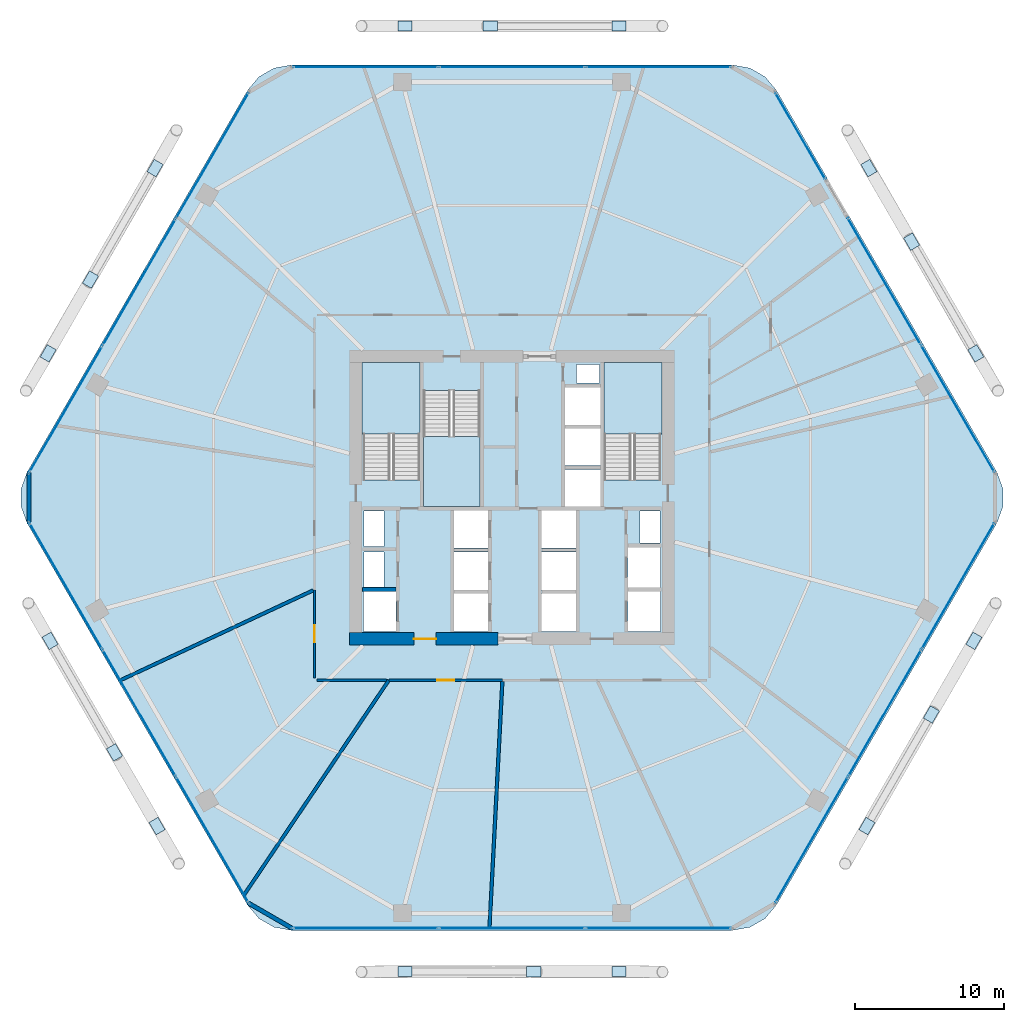
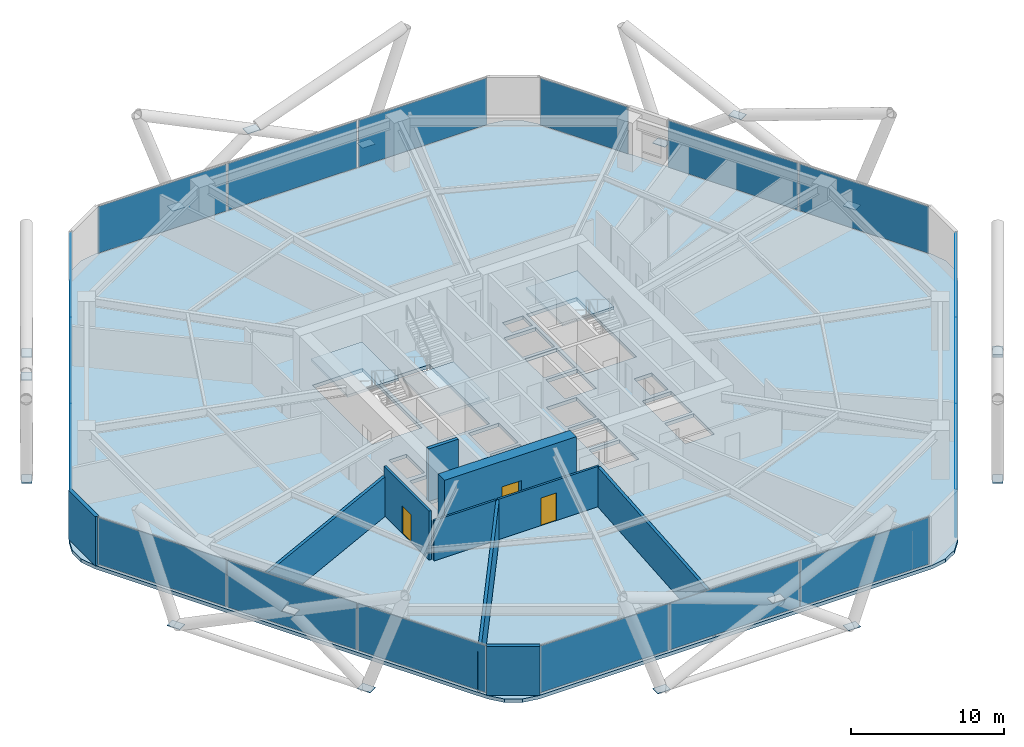
# One storey, part 24 of 28: 36 plates, 10 walls, 4 slabs, 3 doors, 3 openings, 10 elements without a shape of their own.
"""IFC4 building model written with IfcOpenShell, lengths in metres."""

from ifc_helpers import new_model, si_unit, direction, frame, frame_2d, origin, origin_2d, place, context, subcontext, project, spatial, polyline, rectangle, outline, extrude, material, layer, layer_set, type_object, element, fill, aggregate, save


model = new_model("IFC4")

# Units and contexts
model_context = context("Model", 3, precision=1e-05, world=origin(), true_north=direction((0.0, 1.0)))
body_context = subcontext(model_context, "Body", "Model", "MODEL_VIEW")
ifc_project = project(units=[si_unit("LENGTHUNIT", "METRE"), si_unit("AREAUNIT", "SQUARE_METRE"), si_unit("VOLUMEUNIT", "CUBIC_METRE"), si_unit("PLANEANGLEUNIT", "RADIAN"), si_unit("MASSUNIT", "GRAM", prefix="KILO")], contexts=[model_context])

# Site, building, storey
site_placement = place(None, origin())
site = spatial("IfcSite", under=ifc_project, at=site_placement, CompositionType="ELEMENT")
building_placement = place(site_placement, origin())
building = spatial("IfcBuilding", under=site, at=building_placement, Name="Zuhravey Tower", CompositionType="ELEMENT")
storey_placement = place(building_placement, frame((0.0, 0.0, 49.800048828125)))
storey = spatial("IfcBuildingStorey", under=building, at=storey_placement, Name="L12", CompositionType="ELEMENT", Elevation=49.800048828125)

# Curtain wall, plates
ifc_material_1 = material(Name="Thermally broken anodised aluminium", Category="aluminium")
curtain_wall_type = type_object("IfcCurtainWallType", Name="School Low-E Unitised Curtain Wall CW1", PredefinedType="NOTDEFINED", material=ifc_material_1)
curtain_wall_1_placement = place(storey_placement, origin())
curtain_wall_1 = element("IfcCurtainWall", 1, at=curtain_wall_1_placement, inside=storey, type_object=curtain_wall_type, Name="L12 CW1 CW-L12-F6-1", PredefinedType="NOTDEFINED")
ifc_material_2 = material(Name="Laminated acoustic low-E vision glass", Category="glass")
ifc_layer_1 = layer(ifc_material_2, 0.048095703125)
ifc_layer_set_1 = layer_set([ifc_layer_1], Name="Laminated acoustic low-E vision glass")
plate_type_1 = type_object("IfcPlateType", Name="Acoustic School Vision Panel", PredefinedType="CURTAIN_PANEL", material=ifc_layer_set_1)
plate_1_placement = place(storey_placement, frame((66.000732421875, 26.045654296875, 0.08984375), z_axis=(0.0, 0.0, 1.0), x_axis=(-0.499999794119, -0.86602552265, 0.0)))
plate_1 = element("IfcPlate", 2, at=plate_1_placement, type_object=plate_type_1, Name="CW1 panel 1.1", PredefinedType="CURTAIN_PANEL", context=body_context, shape_type="SweptSolid", body=[
    extrude(rectangle(XDim=9.7314453125, YDim=0.048095703125, at=origin_2d()), origin(), (0.0, 0.0, 1.0), 3.739990234375),
])
plate_2_placement = place(storey_placement, frame((61.078857421875, 17.520751953125, 0.08984375), z_axis=(0.0, 0.0, 1.0), x_axis=(-0.499999794119, -0.86602552265, 0.0)))
plate_2 = element("IfcPlate", 3, at=plate_2_placement, type_object=plate_type_1, Name="CW1 panel 2.1", PredefinedType="CURTAIN_PANEL", context=body_context, shape_type="SweptSolid", body=[
    extrude(rectangle(XDim=9.7763671875, YDim=0.048095703125, at=origin_2d()), origin(), (0.0, 0.0, 1.0), 3.739990234375),
])
plate_3_placement = place(storey_placement, frame((56.15673828125, 8.995849609375, 0.08984375), z_axis=(0.0, 0.0, 1.0), x_axis=(-0.499999794119, -0.86602552265, 0.0)))
plate_3 = element("IfcPlate", 4, at=plate_3_placement, type_object=plate_type_1, Name="CW1 panel 3.1", PredefinedType="CURTAIN_PANEL", context=body_context, shape_type="SweptSolid", body=[
    extrude(rectangle(XDim=9.7314453125, YDim=0.048095703125, at=origin_2d()), origin(), (0.0, 0.0, 1.0), 3.739990234375),
])
aggregate(curtain_wall_1, [plate_1, plate_2, plate_3])

curtain_wall_2_placement = place(storey_placement, origin())
curtain_wall_2 = element("IfcCurtainWall", 5, at=curtain_wall_2_placement, inside=storey, type_object=curtain_wall_type, Name="L12 CW1 CW-L12-F5-1", PredefinedType="NOTDEFINED")
plate_4_placement = place(storey_placement, frame((45.84375, 3.04150390625, 0.08984375), z_axis=(0.0, 0.0, 1.0), x_axis=(-1.0, 0.0, 0.0)))
plate_4 = element("IfcPlate", 6, at=plate_4_placement, type_object=plate_type_1, Name="CW1 panel 1.1", PredefinedType="CURTAIN_PANEL", context=body_context, shape_type="SweptSolid", body=[
    extrude(rectangle(XDim=9.7314453125, YDim=0.048095703125, at=origin_2d()), origin(), (0.0, 0.0, 1.0), 3.739990234375),
])
plate_5_placement = place(storey_placement, frame((36.0, 3.04150390625, 0.08984375), z_axis=(0.0, 0.0, 1.0), x_axis=(-1.0, 0.0, 0.0)))
plate_5 = element("IfcPlate", 7, at=plate_5_placement, type_object=plate_type_1, Name="CW1 panel 2.1", PredefinedType="CURTAIN_PANEL", context=body_context, shape_type="SweptSolid", body=[
    extrude(rectangle(XDim=9.7763671875, YDim=0.048095703125, at=origin_2d()), origin(), (0.0, 0.0, 1.0), 3.739990234375),
])
plate_6_placement = place(storey_placement, frame((26.15625, 3.04150390625, 0.08984375), z_axis=(0.0, 0.0, 1.0), x_axis=(-1.0, 0.0, 0.0)))
plate_6 = element("IfcPlate", 8, at=plate_6_placement, type_object=plate_type_1, Name="CW1 panel 3.1", PredefinedType="CURTAIN_PANEL", context=body_context, shape_type="SweptSolid", body=[
    extrude(rectangle(XDim=9.7314453125, YDim=0.048095703125, at=origin_2d()), origin(), (0.0, 0.0, 1.0), 3.739990234375),
])
aggregate(curtain_wall_2, [plate_4, plate_5, plate_6])

curtain_wall_3_placement = place(storey_placement, origin())
curtain_wall_3 = element("IfcCurtainWall", 9, at=curtain_wall_3_placement, inside=storey, type_object=curtain_wall_type, Name="L12 CW1 CW-L12-F4-1", PredefinedType="NOTDEFINED")
plate_7_placement = place(storey_placement, frame((15.84326171875, 8.995849609375, 0.08984375), z_axis=(0.0, 0.0, 1.0), x_axis=(-0.499999794119, 0.86602552265, 0.0)))
plate_7 = element("IfcPlate", 10, at=plate_7_placement, type_object=plate_type_1, Name="CW1 panel 1.1", PredefinedType="CURTAIN_PANEL", context=body_context, shape_type="SweptSolid", body=[
    extrude(rectangle(XDim=9.7314453125, YDim=0.048095703125, at=origin_2d()), origin(), (0.0, 0.0, 1.0), 3.739990234375),
])
plate_8_placement = place(storey_placement, frame((10.921142578125, 17.520751953125, 0.08984375), z_axis=(0.0, 0.0, 1.0), x_axis=(-0.499999794119, 0.86602552265, 0.0)))
plate_8 = element("IfcPlate", 11, at=plate_8_placement, type_object=plate_type_1, Name="CW1 panel 2.1", PredefinedType="CURTAIN_PANEL", context=body_context, shape_type="SweptSolid", body=[
    extrude(rectangle(XDim=9.7763671875, YDim=0.048095703125, at=origin_2d()), origin(), (0.0, 0.0, 1.0), 3.739990234375),
])
plate_9_placement = place(storey_placement, frame((5.999267578125, 26.045654296875, 0.08984375), z_axis=(0.0, 0.0, 1.0), x_axis=(-0.499999794119, 0.86602552265, 0.0)))
plate_9 = element("IfcPlate", 12, at=plate_9_placement, type_object=plate_type_1, Name="CW1 panel 3.1", PredefinedType="CURTAIN_PANEL", context=body_context, shape_type="SweptSolid", body=[
    extrude(rectangle(XDim=9.7314453125, YDim=0.048095703125, at=origin_2d()), origin(), (0.0, 0.0, 1.0), 3.739990234375),
])
aggregate(curtain_wall_3, [plate_7, plate_8, plate_9])

curtain_wall_4_placement = place(storey_placement, origin())
curtain_wall_4 = element("IfcCurtainWall", 13, at=curtain_wall_4_placement, inside=storey, type_object=curtain_wall_type, Name="L12 CW1 CW-L12-F3-1", PredefinedType="NOTDEFINED")
plate_10_placement = place(storey_placement, frame((5.999267578125, 37.954345703125, 0.08984375), z_axis=(0.0, 0.0, 1.0), x_axis=(0.499999794119, 0.86602552265, 0.0)))
plate_10 = element("IfcPlate", 14, at=plate_10_placement, type_object=plate_type_1, Name="CW1 panel 1.1", PredefinedType="CURTAIN_PANEL", context=body_context, shape_type="SweptSolid", body=[
    extrude(rectangle(XDim=9.7314453125, YDim=0.048095703125, at=origin_2d()), origin(), (0.0, 0.0, 1.0), 3.739990234375),
])
plate_11_placement = place(storey_placement, frame((10.921142578125, 46.479248046875, 0.08984375), z_axis=(0.0, 0.0, 1.0), x_axis=(0.499999794119, 0.86602552265, 0.0)))
plate_11 = element("IfcPlate", 15, at=plate_11_placement, type_object=plate_type_1, Name="CW1 panel 2.1", PredefinedType="CURTAIN_PANEL", context=body_context, shape_type="SweptSolid", body=[
    extrude(rectangle(XDim=9.7763671875, YDim=0.048095703125, at=origin_2d()), origin(), (0.0, 0.0, 1.0), 3.739990234375),
])
plate_12_placement = place(storey_placement, frame((15.84326171875, 55.004150390625, 0.08984375), z_axis=(0.0, 0.0, 1.0), x_axis=(0.499999794119, 0.86602552265, 0.0)))
plate_12 = element("IfcPlate", 16, at=plate_12_placement, type_object=plate_type_1, Name="CW1 panel 3.1", PredefinedType="CURTAIN_PANEL", context=body_context, shape_type="SweptSolid", body=[
    extrude(rectangle(XDim=9.7314453125, YDim=0.048095703125, at=origin_2d()), origin(), (0.0, 0.0, 1.0), 3.739990234375),
])
aggregate(curtain_wall_4, [plate_10, plate_11, plate_12])

curtain_wall_5_placement = place(storey_placement, origin())
curtain_wall_5 = element("IfcCurtainWall", 17, at=curtain_wall_5_placement, inside=storey, type_object=curtain_wall_type, Name="L12 CW1 CW-L12-F2-1", PredefinedType="NOTDEFINED")
plate_13_placement = place(storey_placement, frame((26.15625, 60.95849609375, 0.08984375), z_axis=(0.0, 0.0, 1.0), x_axis=(1.0, 0.0, 0.0)))
plate_13 = element("IfcPlate", 18, at=plate_13_placement, type_object=plate_type_1, Name="CW1 panel 1.1", PredefinedType="CURTAIN_PANEL", context=body_context, shape_type="SweptSolid", body=[
    extrude(rectangle(XDim=9.7314453125, YDim=0.048095703125, at=origin_2d()), origin(), (0.0, 0.0, 1.0), 3.739990234375),
])
plate_14_placement = place(storey_placement, frame((36.0, 60.95849609375, 0.08984375), z_axis=(0.0, 0.0, 1.0), x_axis=(1.0, 0.0, 0.0)))
plate_14 = element("IfcPlate", 19, at=plate_14_placement, type_object=plate_type_1, Name="CW1 panel 2.1", PredefinedType="CURTAIN_PANEL", context=body_context, shape_type="SweptSolid", body=[
    extrude(rectangle(XDim=9.7763671875, YDim=0.048095703125, at=origin_2d()), origin(), (0.0, 0.0, 1.0), 3.739990234375),
])
plate_15_placement = place(storey_placement, frame((45.84375, 60.95849609375, 0.08984375), z_axis=(0.0, 0.0, 1.0), x_axis=(1.0, 0.0, 0.0)))
plate_15 = element("IfcPlate", 20, at=plate_15_placement, type_object=plate_type_1, Name="CW1 panel 3.1", PredefinedType="CURTAIN_PANEL", context=body_context, shape_type="SweptSolid", body=[
    extrude(rectangle(XDim=9.7314453125, YDim=0.048095703125, at=origin_2d()), origin(), (0.0, 0.0, 1.0), 3.739990234375),
])
aggregate(curtain_wall_5, [plate_13, plate_14, plate_15])

# Curtain wall, plate
curtain_wall_6_placement = place(storey_placement, origin())
curtain_wall_6 = element("IfcCurtainWall", 21, at=curtain_wall_6_placement, inside=storey, type_object=curtain_wall_type, Name="L12 CW1 CW-L12-F1-1", PredefinedType="NOTDEFINED")
plate_16_placement = place(storey_placement, frame((55.39453125, 56.324462890625, 0.08984375), z_axis=(0.0, 0.0, 1.0), x_axis=(0.499992802933, -0.866029558973, 0.0)))
plate_16 = element("IfcPlate", 22, at=plate_16_placement, type_object=plate_type_1, Name="CW1 panel 1.1", PredefinedType="CURTAIN_PANEL", context=body_context, shape_type="SweptSolid", body=[
    extrude(rectangle(XDim=6.6826171875, YDim=0.048095703125, at=origin_2d()), origin(), (0.0, 0.0, 1.0), 3.739990234375),
])
aggregate(curtain_wall_6, [plate_16])

# Curtain wall, plates
curtain_wall_7_placement = place(storey_placement, origin())
curtain_wall_7 = element("IfcCurtainWall", 23, at=curtain_wall_7_placement, inside=storey, type_object=curtain_wall_type, Name="L12 CW1 CW-L12-F1-2", PredefinedType="NOTDEFINED")
plate_17_placement = place(storey_placement, frame((61.032470703125, 46.5595703125, 0.08984375), z_axis=(0.0, 0.0, 1.0), x_axis=(0.500000600745, -0.866025056944, 0.0)))
plate_17 = element("IfcPlate", 24, at=plate_17_placement, type_object=plate_type_1, Name="CW1 panel 1.1", PredefinedType="CURTAIN_PANEL", context=body_context, shape_type="SweptSolid", body=[
    extrude(rectangle(XDim=9.80810546875, YDim=0.048095703125, at=origin_2d()), origin(), (0.0, 0.0, 1.0), 3.739990234375),
])
plate_18_placement = place(storey_placement, frame((65.9814453125, 37.987548828125, 0.08984375), z_axis=(0.0, 0.0, 1.0), x_axis=(0.500000600745, -0.866025056944, 0.0)))
plate_18 = element("IfcPlate", 25, at=plate_18_placement, type_object=plate_type_1, Name="CW1 panel 2.1", PredefinedType="CURTAIN_PANEL", context=body_context, shape_type="SweptSolid", body=[
    extrude(rectangle(XDim=9.80810546875, YDim=0.048095703125, at=origin_2d()), origin(), (0.0, 0.0, 1.0), 3.739990234375),
])
aggregate(curtain_wall_7, [plate_17, plate_18])

# Plates
ifc_material_3 = material(Name="Steel SM460", Category="steel")
ifc_layer_2 = layer(ifc_material_3, 0.0400390625)
ifc_layer_set_2 = layer_set([ifc_layer_2], Name="Steel SM460")
plate_type_2 = type_object("IfcPlateType", Name="Exoskeleton Zone 1 Node Plate ND1", PredefinedType="SHEET", material=ifc_layer_set_2)
for number, where, z_axis, x_axis, name in (
    (26, (67.19580078125, 41.7041015625, -0.51416015625), (0.0, 0.0, 1.0), (-0.5, 0.866025403784, 0.0), "L12 Exoskeleton Node Gusset L12-01"),
    (27, (60.001953125, 54.164306640625, -0.51416015625), (0.0, 0.0, 1.0), (-0.5, 0.866025403784, 0.0), "L12 Exoskeleton Node Gusset L12-02"),
    (28, (43.19384765625, 63.718505859375, -0.51416015625), (0.0, 0.0, 1.0), (-1.0, 0.0, 0.0), "L12 Exoskeleton Node Gusset L12-03"),
    (29, (28.80615234375, 63.718505859375, -0.51416015625), (0.0, 0.0, 1.0), (-1.0, 0.0, 0.0), "L12 Exoskeleton Node Gusset L12-04"),
    (30, (11.998046875, 54.164306640625, -0.51416015625), (0.0, 0.0, 1.0), (-0.5, -0.866025403784, 0.0), "L12 Exoskeleton Node Gusset L12-05"),
    (31, (4.80419921875, 41.7041015625, -0.51416015625), (0.0, 0.0, 1.0), (-0.5, -0.866025403784, 0.0), "L12 Exoskeleton Node Gusset L12-06"),
    (32, (4.93408203125, 22.370849609375, -0.51416015625), (0.0, 0.0, 1.0), (0.5, -0.866025403784, 0.0), "L12 Exoskeleton Node Gusset L12-07"),
    (33, (12.1279296875, 9.91064453125, -0.51416015625), (0.0, 0.0, 1.0), (0.5, -0.866025403784, 0.0), "L12 Exoskeleton Node Gusset L12-08"),
    (34, (28.80615234375, 0.131591796875, -0.51416015625), (0.0, 0.0, 1.0), (1.0, 0.0, 0.0), "L12 Exoskeleton Node Gusset L12-09"),
    (35, (43.19384765625, 0.131591796875, -0.51416015625), (0.0, 0.0, 1.0), (1.0, 0.0, 0.0), "L12 Exoskeleton Node Gusset L12-10"),
    (36, (59.8720703125, 9.91064453125, -0.51416015625), (0.0, 0.0, 1.0), (0.5, 0.866025403784, 0.0), "L12 Exoskeleton Node Gusset L12-11"),
    (37, (67.06591796875, 22.370849609375, -0.51416015625), (0.0, 0.0, 1.0), (0.5, 0.866025403784, 0.0), "L12 Exoskeleton Node Gusset L12-12"),
    (38, (62.876220703125, 49.216064453125, 3.68603515625), (0.0, 0.0, 1.0), (-0.5, 0.866025403784, 0.0), "L12 Face 1 Diagrid X-Crossing Plate"),
    (39, (34.528564453125, 63.718505859375, 3.68603515625), (0.0, 0.0, 1.0), (-1.0, 0.0, 0.0), "L12 Face 2 Diagrid X-Crossing Plate"),
    (40, (7.65234375, 46.66748046875, 3.68603515625), (0.0, 0.0, 1.0), (-0.5, -0.866025403784, 0.0), "L12 Face 3 Diagrid X-Crossing Plate"),
    (41, (9.266845703125, 14.866455078125, 3.68603515625), (0.0, 0.0, 1.0), (0.5, -0.866025403784, 0.0), "L12 Face 4 Diagrid X-Crossing Plate"),
    (42, (37.471435546875, 0.116455078125, 3.68603515625), (0.0, 0.0, 1.0), (1.0, 0.0, 0.0), "L12 Face 5 Diagrid X-Crossing Plate"),
    (43, (64.204833984375, 17.4150390625, 3.68603515625), (0.0, 0.0, 1.0), (0.5, 0.866025403784, 0.0), "L12 Face 6 Diagrid X-Crossing Plate"),
):
    element("IfcPlate", number, at=place(storey_placement, frame(where, z_axis=z_axis, x_axis=x_axis)), inside=storey, type_object=plate_type_2, Name=name, PredefinedType="SHEET", context=body_context, shape_type="SweptSolid", body=[
        extrude(rectangle(XDim=0.9599609375, YDim=0.699951171875, at=origin_2d()), origin(), (0.0, 0.0, 1.0), 0.0400390625),
    ])

# Slab
ifc_material_4 = material(Name="Concrete C50/60", Category="concrete")
ifc_layer_3 = layer(ifc_material_4, 0.280029296875)
ifc_layer_set_3 = layer_set([ifc_layer_3], Name="Concrete C50/60")
slab_type_1 = type_object("IfcSlabType", Name="School Composite Floor Slab 280", PredefinedType="FLOOR", material=ifc_layer_set_3)
slab_1_placement = place(storey_placement, frame((0.0, 0.0, -0.280029296875)))
element("IfcSlab", 44, at=slab_1_placement, inside=storey, type_object=slab_type_1, Name="L12 Floor Slab FS28", PredefinedType="FLOOR", context=body_context, shape_type="SweptSolid", body=[
    extrude(outline(polyline([(68.618408203125, 30.300048828125), (69.0224609375, 31.40966796875), (69.0224609375, 32.59033203125), (68.618408203125, 33.699951171875), (53.781494140625, 59.3984375), (53.0224609375, 60.302978515625), (52.0, 60.893310546875), (50.8369140625, 61.098388671875), (21.1630859375, 61.098388671875), (20.0, 60.893310546875), (18.9775390625, 60.302978515625), (18.218505859375, 59.3984375), (3.381591796875, 33.699951171875), (2.9775390625, 32.59033203125), (2.9775390625, 31.40966796875), (3.381591796875, 30.300048828125), (18.218505859375, 4.6015625), (18.9775390625, 3.697021484375), (20.0, 3.106689453125), (21.1630859375, 2.901611328125), (50.8369140625, 2.901611328125), (52.0, 3.106689453125), (53.0224609375, 3.697021484375), (53.781494140625, 4.6015625), (68.618408203125, 30.300048828125)]), holes=[polyline([(29.800048828125, 33.20068359375), (29.800048828125, 41.0), (26.0, 41.0), (26.0, 33.20068359375), (29.800048828125, 33.20068359375)]), polyline([(46.0, 33.20068359375), (46.0, 41.0), (42.199951171875, 41.0), (42.199951171875, 33.20068359375), (46.0, 33.20068359375)]), polyline([(30.050048828125, 39.199462890625), (30.050048828125, 31.39990234375), (33.85009765625, 31.39990234375), (33.85009765625, 39.199462890625), (30.050048828125, 39.199462890625)]), polyline([(32.10009765625, 23.0), (34.39990234375, 23.0), (34.39990234375, 25.550048828125), (32.10009765625, 25.550048828125), (32.10009765625, 23.0)]), polyline([(32.10009765625, 25.800048828125), (34.39990234375, 25.800048828125), (34.39990234375, 28.35009765625), (32.10009765625, 28.35009765625), (32.10009765625, 25.800048828125)]), polyline([(32.10009765625, 28.60009765625), (34.39990234375, 28.60009765625), (34.39990234375, 31.14990234375), (32.10009765625, 31.14990234375), (32.10009765625, 28.60009765625)]), polyline([(38.0, 23.0), (40.300048828125, 23.0), (40.300048828125, 25.550048828125), (38.0, 25.550048828125), (38.0, 23.0)]), polyline([(38.0, 25.800048828125), (40.300048828125, 25.800048828125), (40.300048828125, 28.35009765625), (38.0, 28.35009765625), (38.0, 25.800048828125)]), polyline([(38.0, 28.60009765625), (40.300048828125, 28.60009765625), (40.300048828125, 31.14990234375), (38.0, 31.14990234375), (38.0, 28.60009765625)]), polyline([(39.550048828125, 31.39990234375), (41.949951171875, 31.39990234375), (41.949951171875, 33.89990234375), (39.550048828125, 33.89990234375), (39.550048828125, 31.39990234375)]), polyline([(39.550048828125, 34.14990234375), (41.949951171875, 34.14990234375), (41.949951171875, 36.64990234375), (39.550048828125, 36.64990234375), (39.550048828125, 34.14990234375)]), polyline([(39.550048828125, 36.89990234375), (41.949951171875, 36.89990234375), (41.949951171875, 39.39990234375), (39.550048828125, 39.39990234375), (39.550048828125, 36.89990234375)]), polyline([(26.0, 23.0), (28.199951171875, 23.0), (28.199951171875, 25.699951171875), (26.0, 25.699951171875), (26.0, 23.0)]), polyline([(43.800048828125, 23.0), (46.0, 23.0), (46.0, 25.699951171875), (43.800048828125, 25.699951171875), (43.800048828125, 23.0)]), polyline([(43.800048828125, 25.949951171875), (46.0, 25.949951171875), (46.0, 28.64990234375), (43.800048828125, 28.64990234375), (43.800048828125, 25.949951171875)]), polyline([(26.050048828125, 26.0), (27.39990234375, 26.0), (27.39990234375, 28.35009765625), (26.050048828125, 28.35009765625), (26.050048828125, 26.0)]), polyline([(26.050048828125, 28.699951171875), (27.39990234375, 28.699951171875), (27.39990234375, 31.10009765625), (26.050048828125, 31.10009765625), (26.050048828125, 28.699951171875)]), polyline([(44.60009765625, 28.949951171875), (45.949951171875, 28.949951171875), (45.949951171875, 31.10009765625), (44.60009765625, 31.10009765625), (44.60009765625, 28.949951171875)]), polyline([(40.35009765625, 39.699951171875), (41.89990234375, 39.699951171875), (41.89990234375, 40.949951171875), (40.35009765625, 40.949951171875), (40.35009765625, 39.699951171875)])]), origin(), (0.0, 0.0, 1.0), 0.280029296875),
])

# Stair, slab
ifc_material_5 = material(Name="Concrete C40/50", Category="concrete")
stair_type = type_object("IfcStairType", Name="School Storey Stair Assembly 4200", PredefinedType="HALF_TURN_STAIR", material=ifc_material_5)
stair_1_placement = place(storey_placement, origin())
stair_1 = element("IfcStair", 45, at=stair_1_placement, inside=storey, type_object=stair_type, Name="L12 Core Exit Stair ST1", PredefinedType="HALF_TURN_STAIR")
ifc_layer_4 = layer(ifc_material_5, 0.199951171875)
ifc_layer_set_4 = layer_set([ifc_layer_4], Name="Concrete C40/50")
slab_type_2 = type_object("IfcSlabType", Name="Stair Landing Slab 200", PredefinedType="LANDING", material=ifc_layer_set_4)
slab_2_placement = place(storey_placement, frame((0.0, 0.0, 1.89990234375)))
slab_2 = element("IfcSlab", 46, at=slab_2_placement, type_object=slab_type_2, Name="ST1 landing 1", PredefinedType="LANDING", context=body_context, shape_type="SweptSolid", body=[
    extrude(outline(polyline([(29.800048828125, 36.280029296875), (29.800048828125, 41.072998046875), (25.927001953125, 41.072998046875), (25.927001953125, 36.280029296875), (29.800048828125, 36.280029296875)])), origin(), (0.0, 0.0, 1.0), 0.199951171875),
])
aggregate(stair_1, [slab_2])

stair_2_placement = place(storey_placement, origin())
stair_2 = element("IfcStair", 47, at=stair_2_placement, inside=storey, type_object=stair_type, Name="L12 Core Exit Stair ST2", PredefinedType="HALF_TURN_STAIR")
slab_3_placement = place(storey_placement, frame((0.0, 0.0, 1.89990234375)))
slab_3 = element("IfcSlab", 48, at=slab_3_placement, type_object=slab_type_2, Name="ST2 landing 1", PredefinedType="LANDING", context=body_context, shape_type="SweptSolid", body=[
    extrude(outline(polyline([(46.072998046875, 36.280029296875), (46.072998046875, 41.072998046875), (42.199951171875, 41.072998046875), (42.199951171875, 36.280029296875), (46.072998046875, 36.280029296875)])), origin(), (0.0, 0.0, 1.0), 0.199951171875),
])
aggregate(stair_2, [slab_3])

stair_3_placement = place(storey_placement, origin())
stair_3 = element("IfcStair", 49, at=stair_3_placement, inside=storey, type_object=stair_type, Name="L12 Core Exit Stair ST3", PredefinedType="HALF_TURN_STAIR")
slab_4_placement = place(storey_placement, frame((0.0, 0.0, 1.89990234375)))
slab_4 = element("IfcSlab", 50, at=slab_4_placement, type_object=slab_type_2, Name="ST3 landing 1", PredefinedType="LANDING", context=body_context, shape_type="SweptSolid", body=[
    extrude(outline(polyline([(30.050048828125, 36.1201171875), (30.050048828125, 31.39990234375), (33.85009765625, 31.39990234375), (33.85009765625, 36.1201171875), (30.050048828125, 36.1201171875)])), origin(), (0.0, 0.0, 1.0), 0.199951171875),
])
aggregate(stair_3, [slab_4])

# Wall, opening, door
ifc_material_6 = material(Name="Concrete C60/75", Category="concrete")
ifc_layer_5 = layer(ifc_material_6, 0.85009765625)
ifc_layer_set_5 = layer_set([ifc_layer_5], Name="Concrete C60/75")
wall_type_1 = type_object("IfcWallType", Name="Core Shear Wall 850", PredefinedType="SHEAR", material=ifc_layer_set_5)
wall_1_placement = place(storey_placement, frame((25.074951171875, 22.5, 0.0), z_axis=(0.0, 0.0, 1.0), x_axis=(1.0, 0.0, 0.0)))
wall_1 = element("IfcWall", 51, at=wall_1_placement, inside=storey, type_object=wall_type_1, Name="L12 South-West Core Shear Wall CW85", PredefinedType="SHEAR", context=body_context, shape_type="SweptSolid", body=[
    extrude(rectangle(XDim=9.97509765625, YDim=0.85009765625, at=frame_2d((4.987548828125, 0.0))), origin(), (0.0, 0.0, 1.0), 4.199951171875),
])
opening_1_placement = place(wall_1_placement, frame((4.324951171875, 0.0, 0.0)))
opening_1 = element("IfcOpeningElement", 52, at=opening_1_placement, cuts=wall_1, Name="Opening FFD1", PredefinedType="OPENING", context=body_context, shape_type="SweptSolid", body=[
    extrude(rectangle(XDim=1.5, YDim=2.14990234375, at=frame_2d((0.75, 1.074951171875))), frame((0.0, 0.43701171875, 0.0), z_axis=(0.0, -1.0, 0.0), x_axis=(1.0, 0.0, 0.0)), (0.0, 0.0, 1.0), 0.8740234375),
])
ifc_material_7 = material(Name="Galvanised fire-rated steel leaf", Category="steel")
door_type_1 = type_object("IfcDoorType", Name="Firefighting Lobby Double Door 1500x2150", OperationType="DOUBLE_DOOR_SINGLE_SWING", PredefinedType="DOOR", material=ifc_material_7)
door_1_placement = place(opening_1_placement, origin())
door_1 = element("IfcDoor", 53, at=door_1_placement, inside=storey, type_object=door_type_1, Name="L12 Firefighting Lobby West Door", OperationType="DOUBLE_DOOR_SINGLE_SWING", OverallHeight=2.14990234375, OverallWidth=1.5, PredefinedType="DOOR", context=body_context, shape_type="SweptSolid", body=[
    extrude(rectangle(XDim=1.5, YDim=2.14990234375, at=frame_2d((0.75, 1.074951171875))), frame((0.0, 0.02490234375, 0.0), z_axis=(0.0, -1.0, 0.0), x_axis=(1.0, 0.0, 0.0)), (0.0, 0.0, 1.0), 0.050048828125),
])
fill(opening_1, door_1)

ifc_material_8 = material(Name="Gypsum fire-rated stud partition")
ifc_layer_6 = layer(ifc_material_8, 0.159912109375)
ifc_layer_set_6 = layer_set([ifc_layer_6], Name="Gypsum fire-rated stud partition")
wall_type_2 = type_object("IfcWallType", Name="Corridor Fire Partition 160", PredefinedType="PARTITIONING", material=ifc_layer_set_6)
wall_2_placement = place(storey_placement, frame((22.715087890625, 25.80517578125, 0.0), z_axis=(0.0, 0.0, 1.0), x_axis=(0.0, -1.0, 0.0)))
wall_2 = element("IfcWall", 54, at=wall_2_placement, inside=storey, type_object=wall_type_2, Name="L12 IW16 Partition 028", PredefinedType="PARTITIONING", context=body_context, shape_type="SweptSolid", body=[
    extrude(rectangle(XDim=5.93017578125, YDim=0.159912109375, at=frame_2d((2.965087890625, 0.0))), origin(), (0.0, 0.0, 1.0), 3.919921875),
])
opening_2_placement = place(wall_2_placement, frame((2.389892578125, 0.0, 0.0)))
opening_2 = element("IfcOpeningElement", 55, at=opening_2_placement, cuts=wall_2, Name="Opening CLD1", PredefinedType="OPENING", context=body_context, shape_type="SweptSolid", body=[
    extrude(rectangle(XDim=1.14990234375, YDim=2.199951171875, at=frame_2d((0.574951171875, 1.10009765625))), frame((0.0, 0.092041015625, 0.0), z_axis=(0.0, -1.0, 0.0), x_axis=(1.0, 0.0, 0.0)), (0.0, 0.0, 1.0), 0.183837890625),
])
ifc_material_9 = material(Name="Acoustic timber leaf with vision lite", Category="wood")
door_type_2 = type_object("IfcDoorType", Name="Classroom Acoustic Door 1150x2200", OperationType="NOTDEFINED", PredefinedType="DOOR", material=ifc_material_9)
door_2_placement = place(opening_2_placement, frame((1.14990234375, 0.0, 0.0), z_axis=(0.0, 0.0, 1.0), x_axis=(-1.0, 0.0, 0.0)))
door_2 = element("IfcDoor", 56, at=door_2_placement, inside=storey, type_object=door_type_2, Name="L12 Door 028.1", OperationType="SINGLE_SWING_RIGHT", OverallHeight=2.199951171875, OverallWidth=1.14990234375, PredefinedType="DOOR", context=body_context, shape_type="SweptSolid", body=[
    extrude(rectangle(XDim=1.14990234375, YDim=2.199951171875, at=frame_2d((0.574951171875, 1.10009765625))), frame((0.0, 0.02490234375, 0.0), z_axis=(0.0, -1.0, 0.0), x_axis=(1.0, 0.0, 0.0)), (0.0, 0.0, 1.0), 0.050048828125),
])
fill(opening_2, door_2)

wall_3_placement = place(storey_placement, frame((27.713623046875, 19.715087890625, 0.0), z_axis=(0.0, 0.0, 1.0), x_axis=(1.0, 0.0, 0.0)))
wall_3 = element("IfcWall", 57, at=wall_3_placement, inside=storey, type_object=wall_type_2, Name="L12 IW16 Partition 029", PredefinedType="PARTITIONING", context=body_context, shape_type="SweptSolid", body=[
    extrude(rectangle(XDim=7.642578125, YDim=0.159912109375, at=frame_2d((3.8212890625, 0.0))), origin(), (0.0, 0.0, 1.0), 3.219970703125),
])
opening_3_placement = place(wall_3_placement, frame((3.246337890625, 0.0, 0.0)))
opening_3 = element("IfcOpeningElement", 58, at=opening_3_placement, cuts=wall_3, Name="Opening CLD1", PredefinedType="OPENING", context=body_context, shape_type="SweptSolid", body=[
    extrude(rectangle(XDim=1.14990234375, YDim=2.199951171875, at=frame_2d((0.574951171875, 1.10009765625))), frame((0.0, 0.092041015625, 0.0), z_axis=(0.0, -1.0, 0.0), x_axis=(1.0, 0.0, 0.0)), (0.0, 0.0, 1.0), 0.183837890625),
])
door_3_placement = place(opening_3_placement, frame((1.14990234375, 0.0, 0.0), z_axis=(0.0, 0.0, 1.0), x_axis=(-1.0, 0.0, 0.0)))
door_3 = element("IfcDoor", 59, at=door_3_placement, inside=storey, type_object=door_type_2, Name="L12 Door 029.1", OperationType="SINGLE_SWING_LEFT", OverallHeight=2.199951171875, OverallWidth=1.14990234375, PredefinedType="DOOR", context=body_context, shape_type="SweptSolid", body=[
    extrude(rectangle(XDim=1.14990234375, YDim=2.199951171875, at=frame_2d((0.574951171875, 1.10009765625))), frame((0.0, 0.02490234375, 0.0), z_axis=(0.0, -1.0, 0.0), x_axis=(1.0, 0.0, 0.0)), (0.0, 0.0, 1.0), 0.050048828125),
])
fill(opening_3, door_3)

# Walls
wall_4_placement = place(storey_placement, frame((22.875, 19.715087890625, 0.0), z_axis=(0.0, 0.0, 1.0), x_axis=(1.0, 0.0, 0.0)))
element("IfcWall", 60, at=wall_4_placement, inside=storey, type_object=wall_type_2, Name="L12 IW16 Partition 055", PredefinedType="PARTITIONING", context=body_context, shape_type="SweptSolid", body=[
    extrude(rectangle(XDim=4.6962890625, YDim=0.159912109375, at=frame_2d((2.34814453125, 0.0))), origin(), (0.0, 0.0, 1.0), 3.219970703125),
])
ifc_material_10 = material(Name="Precast concrete C40/50", Category="concrete")
ifc_layer_7 = layer(ifc_material_10, 0.280029296875)
ifc_layer_set_7 = layer_set([ifc_layer_7], Name="Precast concrete C40/50")
wall_type_3 = type_object("IfcWallType", Name="Crown Architectural Wall 280", PredefinedType="SOLIDWALL", material=ifc_layer_set_7)
wall_5_placement = place(storey_placement, frame((21.28271484375, 2.993896484375, 0.0), z_axis=(0.0, 0.0, 1.0), x_axis=(-0.866007452331, 0.500031091541, 0.0)))
element("IfcWall", 61, at=wall_5_placement, inside=storey, type_object=wall_type_3, Name="L12 Rounded Corner Closure Wall EW28-04", PredefinedType="SOLIDWALL", context=body_context, shape_type="SweptSolid", body=[
    extrude(rectangle(XDim=3.514892578125, YDim=0.280029296875, at=frame_2d((1.75732421875, 0.0))), origin(), (0.0, 0.0, 1.0), 3.919921875),
])
wall_6_placement = place(storey_placement, frame((3.521484375, 30.242431640625, 0.0), z_axis=(0.0, 0.0, 1.0), x_axis=(0.0, 1.0, 0.0)))
element("IfcWall", 62, at=wall_6_placement, inside=storey, type_object=wall_type_3, Name="L12 Rounded Corner Closure Wall EW28-06", PredefinedType="SOLIDWALL", context=body_context, shape_type="SweptSolid", body=[
    extrude(rectangle(XDim=3.51513671875, YDim=0.280029296875, at=frame_2d((1.757568359375, 0.0))), origin(), (0.0, 0.0, 1.0), 3.919921875),
])
ifc_layer_8 = layer(ifc_material_4, 0.25)
ifc_layer_set_8 = layer_set([ifc_layer_8], Name="Concrete C50/60")
wall_type_4 = type_object("IfcWallType", Name="Firefighting Shaft & Stair Wall 250", PredefinedType="SOLIDWALL", material=ifc_layer_set_8)
wall_7_placement = place(storey_placement, frame((25.949951171875, 25.824951171875, 0.0), z_axis=(0.0, 0.0, 1.0), x_axis=(1.0, 0.0, 0.0)))
element("IfcWall", 63, at=wall_7_placement, inside=storey, type_object=wall_type_4, Name="L12 FW25 Shaft Wall 009", PredefinedType="SOLIDWALL", context=body_context, shape_type="SweptSolid", body=[
    extrude(rectangle(XDim=2.25, YDim=0.25, at=frame_2d((1.125, 0.0))), origin(), (0.0, 0.0, 1.0), 4.199951171875),
])
ifc_material_11 = material(Name="Gypsum acoustic stud assembly")
ifc_layer_9 = layer(ifc_material_11, 0.219970703125)
ifc_layer_set_9 = layer_set([ifc_layer_9], Name="Gypsum acoustic stud assembly")
wall_type_5 = type_object("IfcWallType", Name="School Acoustic Compartment Wall 220", PredefinedType="PARTITIONING", material=ifc_layer_set_9)
wall_8_placement = place(storey_placement, frame((22.626953125, 25.763916015625, 0.0), z_axis=(0.0, 0.0, 1.0), x_axis=(-0.906309468756, -0.422614655263, 0.0)))
element("IfcWall", 64, at=wall_8_placement, inside=storey, type_object=wall_type_5, Name="L12 IW22 Partition 053", PredefinedType="PARTITIONING", context=body_context, shape_type="SweptSolid", body=[
    extrude(rectangle(XDim=14.3134765625, YDim=0.219970703125, at=frame_2d((7.15673828125, 0.0))), origin(), (0.0, 0.0, 1.0), 3.169921875),
])
wall_9_placement = place(storey_placement, frame((27.713623046875, 19.715087890625, 0.0), z_axis=(0.0, 0.0, 1.0), x_axis=(-0.559192578, -0.829037792088, 0.0)))
element("IfcWall", 65, at=wall_9_placement, inside=storey, type_object=wall_type_5, Name="L12 IW22 Partition 054", PredefinedType="PARTITIONING", context=body_context, shape_type="SweptSolid", body=[
    extrude(rectangle(XDim=17.40087890625, YDim=0.219970703125, at=frame_2d((8.700439453125, 0.0))), origin(), (0.0, 0.0, 1.0), 3.169921875),
])
wall_10_placement = place(storey_placement, frame((35.3515625, 19.626953125, 0.0), z_axis=(0.0, 0.0, 1.0), x_axis=(-0.052331996973, -0.998629742243, 0.0)))
element("IfcWall", 66, at=wall_10_placement, inside=storey, type_object=wall_type_5, Name="L12 IW22 Partition 056", PredefinedType="PARTITIONING", context=body_context, shape_type="SweptSolid", body=[
    extrude(rectangle(XDim=16.608154296875, YDim=0.219970703125, at=frame_2d((8.30419921875, 0.0))), origin(), (0.0, 0.0, 1.0), 3.169921875),
])

save(model, "model.ifc")
